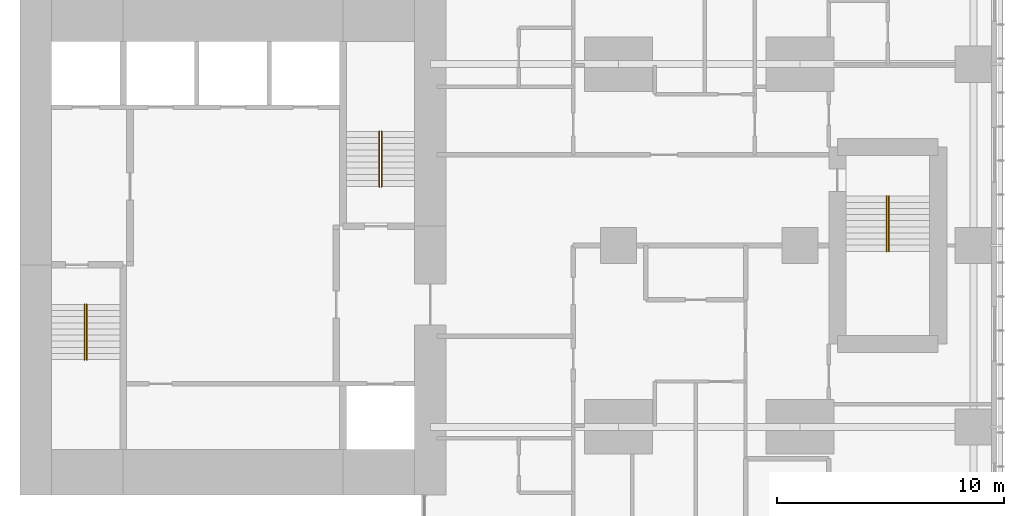
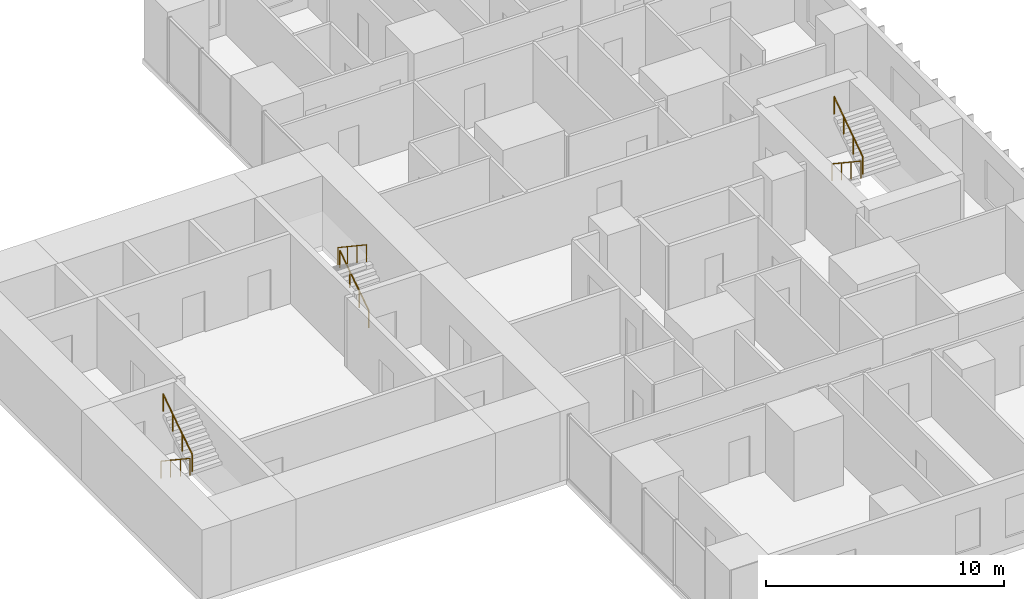
# One storey, part 12 of 12: 6 railings.
"""IFC4 building model written with IfcOpenShell, lengths in metres."""

import ifcopenshell
import ifcopenshell.guid

model = None  # the IFC model being written
_history = None  # IfcOwnerHistory: only IFC2X3 demands one
_inside = {}  # id of a spatial element -> (the spatial element, [elements in it])
_under = {}  # id of a project, library or spatial element -> (it, [spatial elements below it])
_declared = {}  # id of a project -> (the project, [libraries it declares])
_typed = {}  # id of a type object -> (the type object, [elements of that type])
_made_of = {}  # id of a material, layer set ... -> (it, [elements and type objects made of it])


def new_model(schema):
    """Start an empty IFC model of exactly this schema.

    Asked for "IFC4X3", IfcOpenShell would pick the latest addendum, in which some entities
    have other attributes; the version numbers below select the first issue.
    IFC2X3 requires an IfcOwnerHistory on every rooted entity: one is made here for all.
    """
    global model, _history
    if schema == "IFC4X3":
        model = ifcopenshell.file(schema_version=(4, 3, 0, 0))
    else:
        model = ifcopenshell.file(schema=schema)
    _inside.clear()
    _under.clear()
    _declared.clear()
    _typed.clear()
    _made_of.clear()
    _history = None
    if model.schema == "IFC2X3":
        org = make("IfcOrganization", Name="unknown")
        user = make(
            "IfcPersonAndOrganization",
            ThePerson=make("IfcPerson", FamilyName="unknown"),
            TheOrganization=org,
        )
        app = make(
            "IfcApplication",
            ApplicationDeveloper=org,
            Version="unknown",
            ApplicationFullName="unknown",
            ApplicationIdentifier="unknown",
        )
        _history = make(
            "IfcOwnerHistory",
            OwningUser=user,
            OwningApplication=app,
            ChangeAction="ADDED",
            CreationDate=0,
        )
    return model


def make(cls, **values):
    """One entity of the class cls with the attributes given. An attribute that is None is left unset."""
    return model.create_entity(
        cls, **{name: value for name, value in values.items() if value is not None}
    )


def rooted(cls, **values):
    """An entity with a GlobalId (a new one), such as an element, a storey or a relation."""
    return make(cls, GlobalId=ifcopenshell.guid.new(), OwnerHistory=_history, **values)


def si_unit(unit_type, name, prefix=None):
    """IfcSIUnit, for example si_unit("LENGTHUNIT", "METRE", prefix="MILLI")."""
    return make("IfcSIUnit", UnitType=unit_type, Prefix=prefix, Name=name)


def assignment(units):
    """IfcUnitAssignment: the units of a project."""
    return None if units is None else make("IfcUnitAssignment", Units=units)


def point(xyz):
    """IfcCartesianPoint."""
    return None if xyz is None else make("IfcCartesianPoint", Coordinates=xyz)


def direction(xyz):
    """IfcDirection."""
    return None if xyz is None else make("IfcDirection", DirectionRatios=xyz)


def frame(location, z_axis=None, x_axis=None):
    """IfcAxis2Placement3D, a coordinate frame: its origin and axes. An axis left out is left unset."""
    return make(
        "IfcAxis2Placement3D",
        Location=point(location),
        Axis=direction(z_axis),
        RefDirection=direction(x_axis),
    )


def frame_2d(location, x_axis=None):
    """IfcAxis2Placement2D, a coordinate frame in the plane: its origin and x axis."""
    return make(
        "IfcAxis2Placement2D", Location=point(location), RefDirection=direction(x_axis)
    )


def origin():
    """The frame at (0, 0, 0) with its axes left unset."""
    return frame((0.0, 0.0, 0.0))


def origin_2d():
    """The frame at (0, 0) in the plane with its x axis left unset."""
    return frame_2d((0.0, 0.0))


def place(relative_to, where):
    """IfcLocalPlacement: puts the frame where relative to a parent placement (None: the world)."""
    return make(
        "IfcLocalPlacement", PlacementRelTo=relative_to, RelativePlacement=where
    )


def context(
    kind, dimensions, precision=None, world=None, true_north=None, identifier=None
):
    """IfcGeometricRepresentationContext, for example the 3D "Model" context."""
    return make(
        "IfcGeometricRepresentationContext",
        ContextIdentifier=identifier,
        ContextType=kind,
        CoordinateSpaceDimension=dimensions,
        Precision=precision,
        WorldCoordinateSystem=world,
        TrueNorth=true_north,
    )


def subcontext(parent, identifier, kind, view, scale=None):
    """IfcGeometricRepresentationSubContext, for example "Body" below "Model"."""
    return make(
        "IfcGeometricRepresentationSubContext",
        ContextIdentifier=identifier,
        ContextType=kind,
        ParentContext=parent,
        TargetScale=scale,
        TargetView=view,
    )


def project(units=None, contexts=None):
    """IfcProject with its units and contexts."""
    return rooted(
        "IfcProject",
        Name="project",
        RepresentationContexts=contexts,
        UnitsInContext=assignment(units),
    )


def spatial(cls, under=None, at=None, **own):
    """A site, building, storey or space (cls), placed at a placement, below another one or the project."""
    s = rooted(cls, ObjectPlacement=at, **own)
    if under is not None:
        _under.setdefault(under.id(), (under, []))[1].append(s)
    return s


def profile(cls, at=None, kind="AREA", **sizes):
    """A parametric profile (cls). Its sizes go by their IFC names, for example OverallWidth=200.0."""
    return make(cls, ProfileType=kind, Position=at, **sizes)


def circle(**sizes):
    """IfcCircleProfileDef."""
    return profile("IfcCircleProfileDef", **sizes)


def extrude(swept, where, along, depth):
    """IfcExtrudedAreaSolid: the profile swept, set in the frame where, extruded along a direction by depth."""
    return make(
        "IfcExtrudedAreaSolid",
        SweptArea=swept,
        Position=where,
        ExtrudedDirection=direction(along),
        Depth=depth,
    )


def shape(context_of_items, identifier, shape_type, items):
    """IfcShapeRepresentation: the items that make up one representation, for example the "Body"."""
    return make(
        "IfcShapeRepresentation",
        ContextOfItems=context_of_items,
        RepresentationIdentifier=identifier,
        RepresentationType=shape_type,
        Items=items,
    )


def material(Name=None, Category=None):
    """IfcMaterial."""
    return make("IfcMaterial", Name=Name, Category=Category)


def made_of(thing, what):
    """Note that an element or type object is made of a material, layer set ...; save() writes the relation."""
    if what is not None:
        _made_of.setdefault(what.id(), (what, []))[1].append(thing)
    return thing


def type_object(cls, material=None, **own):
    """A type object (cls), such as IfcWallType, which elements share."""
    return made_of(rooted(cls, **own), material)


def element(
    cls,
    number,
    at=None,
    inside=None,
    cuts=None,
    type_object=None,
    material=None,
    context=None,
    identifier="Body",
    shape_type=None,
    held_by="IfcProductDefinitionShape",
    body=None,
    shapes=None,
    **own,
):
    """One element of the class cls, such as IfcWall. Its Tag is "e" and its number.

    at: its placement. inside: the storey or other place that contains it. cuts: it is an
    opening in that element (IfcRelVoidsElement). A single representation is given by context,
    identifier, shape_type and body (its items); several are given by shapes. held_by: the class
    of the entity that holds the representations. save() writes the other relations.
    """
    e = rooted(cls, Tag="e%d" % number, ObjectPlacement=at, **own)
    if body is not None:
        shapes = [shape(context, identifier, shape_type, body)]
    if shapes is not None:
        e.Representation = make(held_by, Representations=shapes)
    if inside is not None:
        _inside.setdefault(inside.id(), (inside, []))[1].append(e)
    if cuts is not None:
        rooted(
            "IfcRelVoidsElement", RelatingBuildingElement=cuts, RelatedOpeningElement=e
        )
    if type_object is not None:
        _typed.setdefault(type_object.id(), (type_object, []))[1].append(e)
    return made_of(e, material)


def aggregate(whole, parts):
    """IfcRelAggregates: a whole, such as a stair, and the parts it consists of."""
    return rooted("IfcRelAggregates", RelatingObject=whole, RelatedObjects=parts)


def save(model, path):
    """Write the relations noted so far, then the file.

    IfcRelAggregates (storeys below a building ...), IfcRelContainedInSpatialStructure (elements
    in a storey), IfcRelDefinesByType, IfcRelAssociatesMaterial and IfcRelDeclares: one each for
    every whole, place, type object, material and project.
    """
    for whole, parts in _under.values():
        aggregate(whole, parts)
    for where, things in _inside.values():
        rooted(
            "IfcRelContainedInSpatialStructure",
            RelatedElements=things,
            RelatingStructure=where,
        )
    for kind, things in _typed.values():
        rooted("IfcRelDefinesByType", RelatedObjects=things, RelatingType=kind)
    for what, things in _made_of.values():
        rooted("IfcRelAssociatesMaterial", RelatedObjects=things, RelatingMaterial=what)
    for by, libraries in _declared.values():
        rooted("IfcRelDeclares", RelatingContext=by, RelatedDefinitions=libraries)
    model.write(path)


model = new_model("IFC4")

# Units and contexts
model_context = context("Model", 3, precision=1e-05, world=origin(), true_north=direction((0.0, 1.0)))
body_context = subcontext(model_context, "Body", "Model", "MODEL_VIEW")
ifc_project = project(units=[si_unit("LENGTHUNIT", "METRE"), si_unit("AREAUNIT", "SQUARE_METRE"), si_unit("VOLUMEUNIT", "CUBIC_METRE"), si_unit("PLANEANGLEUNIT", "RADIAN"), si_unit("MASSUNIT", "GRAM", prefix="KILO")], contexts=[model_context])

# Site, building, storey
site_placement = place(None, origin())
site = spatial("IfcSite", under=ifc_project, at=site_placement, CompositionType="ELEMENT")
building_placement = place(site_placement, origin())
building = spatial("IfcBuilding", under=site, at=building_placement, Name="Cleftline Residences", CompositionType="ELEMENT")
storey_placement = place(building_placement, frame((0.0, 0.0, 255.60009765625)))
storey = spatial("IfcBuildingStorey", under=building, at=storey_placement, Name="L67", CompositionType="ELEMENT", Elevation=255.60009765625)

# Railings
ifc_material = material(Name="Stainless steel", Category="steel")
railing_type = type_object("IfcRailingType", Name="HANDRAIL 900", PredefinedType="HANDRAIL", material=ifc_material)
railing_1_placement = place(storey_placement, frame((26.449951171875, 21.39990234375, 0.179931640625)))
element("IfcRailing", 1, at=railing_1_placement, inside=storey, type_object=railing_type, Name="Stair handrail", PredefinedType="HANDRAIL", context=body_context, shape_type="SweptSolid", body=[
    extrude(circle(Radius=0.02392578125, at=origin_2d()), frame((0.0, 0.0, 0.8759765625), z_axis=(0.0, -0.832063155534, 0.554680903946), x_axis=(1.0, 0.0, 0.0)), (0.0, 0.0, 1.0), 2.92041015625),
    extrude(circle(Radius=0.02099609375, at=origin_2d()), origin(), (0.0, 0.0, 1.0), 0.851806640625),
    extrude(circle(Radius=0.02099609375, at=origin_2d()), frame((0.0, -0.81005859375, 0.5400390625)), (0.0, 0.0, 1.0), 0.851806640625),
    extrude(circle(Radius=0.02099609375, at=origin_2d()), frame((0.0, -1.619873046875, 1.079833984375)), (0.0, 0.0, 1.0), 0.851806640625),
    extrude(circle(Radius=0.02099609375, at=origin_2d()), frame((0.0, -2.429931640625, 1.619873046875)), (0.0, 0.0, 1.0), 0.851806640625),
])
for number, where, name in (
    (2, (26.550048828125, 18.969970703125, 1.97998046875), "Stair handrail"),
    (3, (39.550048828125, 26.60009765625, 0.179931640625), "Stair handrail"),
):
    element("IfcRailing", number, at=place(storey_placement, frame(where)), inside=storey, type_object=railing_type, Name=name, PredefinedType="HANDRAIL", context=body_context, shape_type="SweptSolid", body=[
        extrude(circle(Radius=0.02392578125, at=origin_2d()), frame((0.0, 0.0, 0.8759765625), z_axis=(0.0, 0.832063155534, 0.554680903946), x_axis=(-1.0, 0.0, 0.0)), (0.0, 0.0, 1.0), 2.92041015625),
        extrude(circle(Radius=0.02099609375, at=origin_2d()), origin(), (0.0, 0.0, 1.0), 0.851806640625),
        extrude(circle(Radius=0.02099609375, at=origin_2d()), frame((0.0, 0.81005859375, 0.5400390625)), (0.0, 0.0, 1.0), 0.851806640625),
        extrude(circle(Radius=0.02099609375, at=origin_2d()), frame((0.0, 1.619873046875, 1.079833984375)), (0.0, 0.0, 1.0), 0.851806640625),
        extrude(circle(Radius=0.02099609375, at=origin_2d()), frame((0.0, 2.429931640625, 1.619873046875)), (0.0, 0.0, 1.0), 0.851806640625),
    ])
for number, where, name in (
    (4, (39.449951171875, 29.030029296875, 1.97998046875), "Stair handrail"),
    (5, (61.824951171875, 26.175048828125, 0.179931640625), "Stair handrail"),
):
    element("IfcRailing", number, at=place(storey_placement, frame(where)), inside=storey, type_object=railing_type, Name=name, PredefinedType="HANDRAIL", context=body_context, shape_type="SweptSolid", body=[
        extrude(circle(Radius=0.02392578125, at=origin_2d()), frame((0.0, 0.0, 0.8759765625), z_axis=(0.0, -0.832063155534, 0.554680903946), x_axis=(1.0, 0.0, 0.0)), (0.0, 0.0, 1.0), 2.92041015625),
        extrude(circle(Radius=0.02099609375, at=origin_2d()), origin(), (0.0, 0.0, 1.0), 0.851806640625),
        extrude(circle(Radius=0.02099609375, at=origin_2d()), frame((0.0, -0.81005859375, 0.5400390625)), (0.0, 0.0, 1.0), 0.851806640625),
        extrude(circle(Radius=0.02099609375, at=origin_2d()), frame((0.0, -1.619873046875, 1.079833984375)), (0.0, 0.0, 1.0), 0.851806640625),
        extrude(circle(Radius=0.02099609375, at=origin_2d()), frame((0.0, -2.429931640625, 1.619873046875)), (0.0, 0.0, 1.0), 0.851806640625),
    ])
railing_2_placement = place(storey_placement, frame((61.925048828125, 23.7451171875, 1.97998046875)))
element("IfcRailing", 6, at=railing_2_placement, inside=storey, type_object=railing_type, Name="Stair handrail", PredefinedType="HANDRAIL", context=body_context, shape_type="SweptSolid", body=[
    extrude(circle(Radius=0.02392578125, at=origin_2d()), frame((0.0, 0.0, 0.8759765625), z_axis=(0.0, 0.832063155534, 0.554680903946), x_axis=(-1.0, 0.0, 0.0)), (0.0, 0.0, 1.0), 2.92041015625),
    extrude(circle(Radius=0.02099609375, at=origin_2d()), origin(), (0.0, 0.0, 1.0), 0.851806640625),
    extrude(circle(Radius=0.02099609375, at=origin_2d()), frame((0.0, 0.81005859375, 0.5400390625)), (0.0, 0.0, 1.0), 0.851806640625),
    extrude(circle(Radius=0.02099609375, at=origin_2d()), frame((0.0, 1.619873046875, 1.079833984375)), (0.0, 0.0, 1.0), 0.851806640625),
    extrude(circle(Radius=0.02099609375, at=origin_2d()), frame((0.0, 2.429931640625, 1.619873046875)), (0.0, 0.0, 1.0), 0.851806640625),
])

save(model, "model.ifc")
